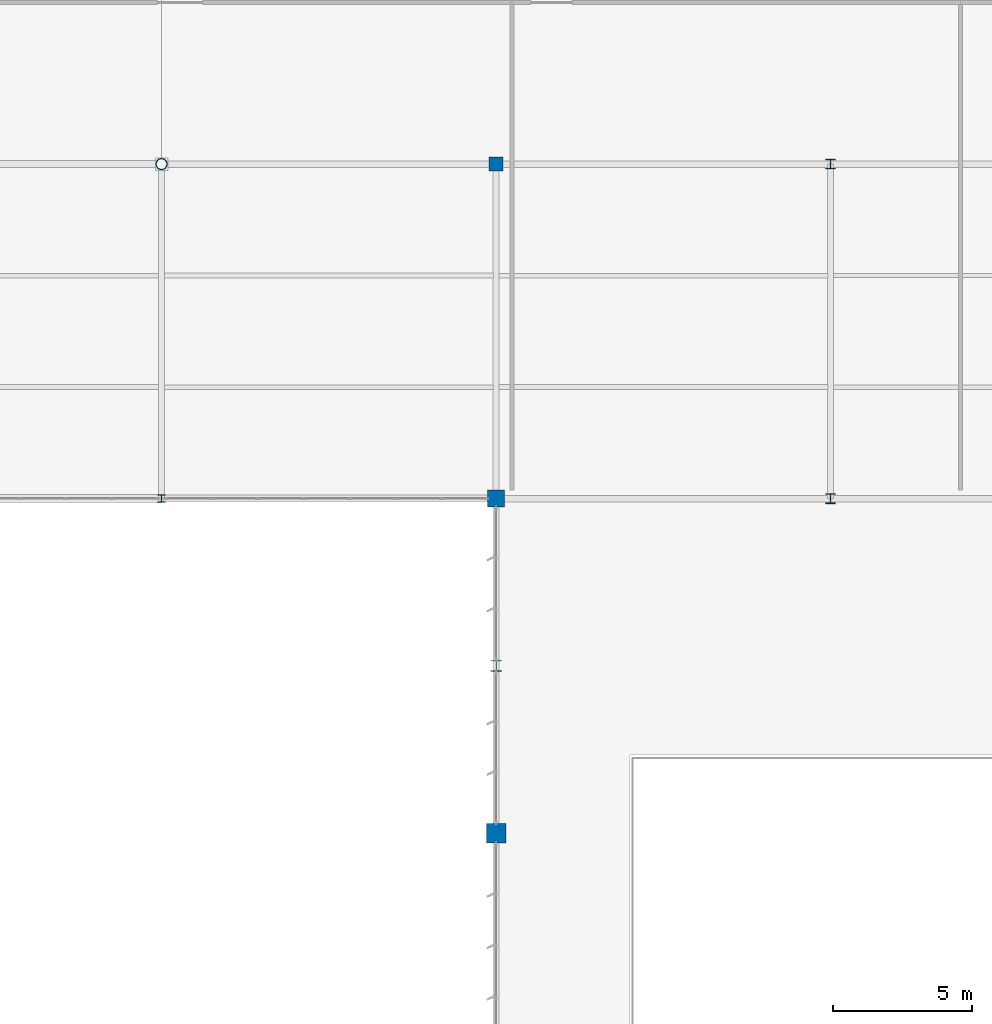
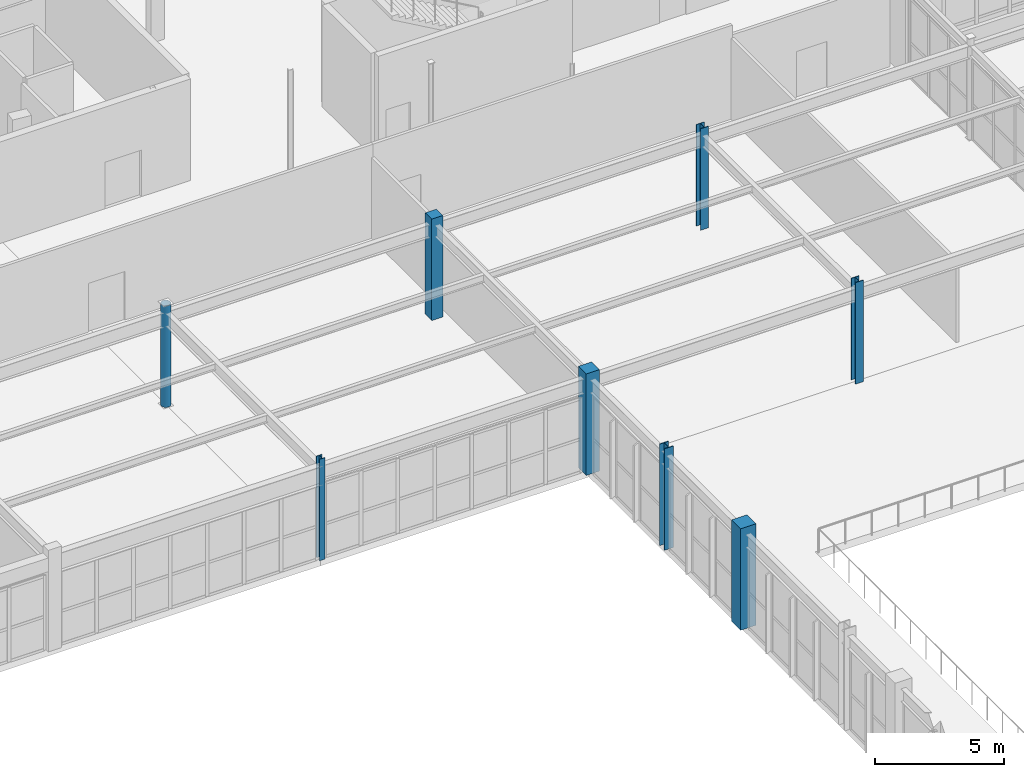
# One storey, part 29 of 226: 8 columns.
"""IFC4 building model written with IfcOpenShell, lengths in metres."""

from ifc_helpers import new_model, si_unit, direction, frame, origin, origin_2d, place, context, subcontext, project, spatial, rectangle, hollow_circle, i_section, extrude, material, material_profile, profile_set, type_object, element, save


model = new_model("IFC4")

# Units and contexts
model_context = context("Model", 3, precision=1e-05, world=origin(), true_north=direction((0.0, 1.0)))
body_context = subcontext(model_context, "Body", "Model", "MODEL_VIEW")
ifc_project = project(units=[si_unit("LENGTHUNIT", "METRE"), si_unit("AREAUNIT", "SQUARE_METRE"), si_unit("VOLUMEUNIT", "CUBIC_METRE"), si_unit("PLANEANGLEUNIT", "RADIAN"), si_unit("MASSUNIT", "GRAM", prefix="KILO")], contexts=[model_context])

# Site, building, storey
site_placement = place(None, origin())
site = spatial("IfcSite", under=ifc_project, at=site_placement, CompositionType="ELEMENT")
building_placement = place(site_placement, origin())
building = spatial("IfcBuilding", under=site, at=building_placement, Name="Tarnwether General Hospital", CompositionType="ELEMENT")
storey_placement = place(building_placement, frame((0.0, 0.0, 4.800048828125)))
storey = spatial("IfcBuildingStorey", under=building, at=storey_placement, Name="L01", CompositionType="ELEMENT", Elevation=4.800048828125)

# Columns
ifc_material_1 = material(Name="Steel Grade 350 (350 MPa)", Category="steel")
ifc_material_profile_1 = material_profile(ifc_material_1, i_section(OverallWidth=0.39990234375, OverallDepth=0.39990234375, WebThickness=0.02001953125, FlangeThickness=0.028076171875, at=origin_2d()), Name="400WC270")
ifc_profile_set_1 = profile_set([ifc_material_profile_1], Name="Steel Grade 350 (350 MPa)")
column_type_1 = type_object("IfcColumnType", Name="COL-02", PredefinedType="COLUMN", material=ifc_profile_set_1)
column_1_placement = place(storey_placement, frame((108.0, 75.60009765625, 0.0), z_axis=(0.0, 0.0, 1.0), x_axis=(1.0, 0.0, 0.0)))
element("IfcColumn", 1, at=column_1_placement, inside=storey, type_object=column_type_1, Name="Column COLG-L01-10800_7560", PredefinedType="COLUMN", context=body_context, shape_type="SweptSolid", body=[
    extrude(i_section(OverallWidth=0.39990234375, OverallDepth=0.39990234375, WebThickness=0.02001953125, FlangeThickness=0.028076171875, at=origin_2d()), origin(), (0.0, 0.0, 1.0), 4.800048828125),
])
ifc_material_2 = material(Name="Steel Grade 350 (350 MPa)", Category="steel")
ifc_material_profile_2 = material_profile(ifc_material_2, i_section(OverallWidth=0.35009765625, OverallDepth=0.360107421875, WebThickness=0.01611328125, FlangeThickness=0.028076171875, at=origin_2d()), Name="350WC230")
ifc_profile_set_2 = profile_set([ifc_material_profile_2], Name="Steel Grade 350 (350 MPa)")
column_type_2 = type_object("IfcColumnType", Name="COL-03", PredefinedType="COLUMN", material=ifc_profile_set_2)
column_2_placement = place(storey_placement, frame((120.0, 81.60009765625, 0.0), z_axis=(0.0, 0.0, 1.0), x_axis=(1.0, 0.0, 0.0)))
element("IfcColumn", 2, at=column_2_placement, inside=storey, type_object=column_type_2, Name="Column COLG-L01-12000_8160", PredefinedType="COLUMN", context=body_context, shape_type="SweptSolid", body=[
    extrude(i_section(OverallWidth=0.35009765625, OverallDepth=0.360107421875, WebThickness=0.01611328125, FlangeThickness=0.028076171875, at=origin_2d()), origin(), (0.0, 0.0, 1.0), 4.800048828125),
])
ifc_material_3 = material(Name="Steel Grade 350 (350 MPa)", Category="steel")
ifc_material_profile_3 = material_profile(ifc_material_3, i_section(OverallWidth=0.35009765625, OverallDepth=0.35009765625, WebThickness=0.013916015625, FlangeThickness=0.02392578125, at=origin_2d()), Name="350WC197")
ifc_profile_set_3 = profile_set([ifc_material_profile_3], Name="Steel Grade 350 (350 MPa)")
column_type_3 = type_object("IfcColumnType", Name="COL-04", PredefinedType="COLUMN", material=ifc_profile_set_3)
column_3_placement = place(storey_placement, frame((120.0, 93.60009765625, 0.0), z_axis=(0.0, 0.0, 1.0), x_axis=(1.0, 0.0, 0.0)))
element("IfcColumn", 3, at=column_3_placement, inside=storey, type_object=column_type_3, Name="Column COLG-L01-12000_9360", PredefinedType="COLUMN", context=body_context, shape_type="SweptSolid", body=[
    extrude(i_section(OverallWidth=0.35009765625, OverallDepth=0.35009765625, WebThickness=0.013916015625, FlangeThickness=0.02392578125, at=origin_2d()), origin(), (0.0, 0.0, 1.0), 4.800048828125),
])
ifc_material_4 = material(Name="Steel Grade 350 (350 MPa)", Category="steel")
ifc_material_profile_4 = material_profile(ifc_material_4, i_section(OverallWidth=0.256103515625, OverallDepth=0.260009765625, WebThickness=0.010498046875, FlangeThickness=0.017333984375, at=origin_2d()), Name="250UC89.5")
ifc_profile_set_4 = profile_set([ifc_material_profile_4], Name="Steel Grade 350 (350 MPa)")
column_type_4 = type_object("IfcColumnType", Name="COL-09", PredefinedType="COLUMN", material=ifc_profile_set_4)
column_4_placement = place(storey_placement, frame((96.0, 81.60009765625, 0.0), z_axis=(0.0, 0.0, 1.0), x_axis=(1.0, 0.0, 0.0)))
element("IfcColumn", 4, at=column_4_placement, inside=storey, type_object=column_type_4, Name="Column COLG-L01-9600_8160", PredefinedType="COLUMN", context=body_context, shape_type="SweptSolid", body=[
    extrude(i_section(OverallWidth=0.256103515625, OverallDepth=0.260009765625, WebThickness=0.010498046875, FlangeThickness=0.017333984375, at=origin_2d()), origin(), (0.0, 0.0, 1.0), 4.800048828125),
])
ifc_material_5 = material(Name="Steel Grade C350L0 (350 MPa)", Category="steel")
ifc_material_profile_5 = material_profile(ifc_material_5, hollow_circle(Radius=0.203125, WallThickness=0.01611328125, at=origin_2d()), Name="CHS406.4x16.0")
ifc_profile_set_5 = profile_set([ifc_material_profile_5], Name="Steel Grade C350L0 (350 MPa)")
column_type_5 = type_object("IfcColumnType", Name="COL-10", PredefinedType="COLUMN", material=ifc_profile_set_5)
column_5_placement = place(storey_placement, frame((96.0, 93.60009765625, 0.0), z_axis=(0.0, 0.0, 1.0), x_axis=(1.0, 0.0, 0.0)))
element("IfcColumn", 5, at=column_5_placement, inside=storey, type_object=column_type_5, Name="Column COLG-L01-9600_9360", PredefinedType="COLUMN", context=body_context, shape_type="SweptSolid", body=[
    extrude(hollow_circle(Radius=0.203125, WallThickness=0.01611328125, at=origin_2d()), origin(), (0.0, 0.0, 1.0), 4.800048828125),
])
ifc_material_6 = material(Name="Concrete 50 MPa", Category="concrete")
ifc_material_profile_6 = material_profile(ifc_material_6, rectangle(XDim=0.699951171875, YDim=0.699951171875, at=origin_2d()), Name="RC-COL-700x700")
ifc_profile_set_6 = profile_set([ifc_material_profile_6], Name="Concrete 50 MPa")
column_type_6 = type_object("IfcColumnType", Name="COL-18", PredefinedType="COLUMN", material=ifc_profile_set_6)
column_6_placement = place(storey_placement, frame((108.0, 69.60009765625, 0.0), z_axis=(0.0, 0.0, 1.0), x_axis=(0.0, 1.0, 0.0)))
element("IfcColumn", 6, at=column_6_placement, inside=storey, type_object=column_type_6, Name="Column COLG-L01-10800_6960", PredefinedType="COLUMN", context=body_context, shape_type="SweptSolid", body=[
    extrude(rectangle(XDim=0.699951171875, YDim=0.699951171875, at=origin_2d()), origin(), (0.0, 0.0, 1.0), 4.800048828125),
])
ifc_material_7 = material(Name="Concrete 50 MPa", Category="concrete")
ifc_material_profile_7 = material_profile(ifc_material_7, rectangle(XDim=0.60009765625, YDim=0.60009765625, at=origin_2d()), Name="RC-COL-600x600")
ifc_profile_set_7 = profile_set([ifc_material_profile_7], Name="Concrete 50 MPa")
column_type_7 = type_object("IfcColumnType", Name="COL-19", PredefinedType="COLUMN", material=ifc_profile_set_7)
column_7_placement = place(storey_placement, frame((108.0, 81.60009765625, 0.0), z_axis=(0.0, 0.0, 1.0), x_axis=(0.0, 1.0, 0.0)))
element("IfcColumn", 7, at=column_7_placement, inside=storey, type_object=column_type_7, Name="Column COLG-L01-10800_8160", PredefinedType="COLUMN", context=body_context, shape_type="SweptSolid", body=[
    extrude(rectangle(XDim=0.60009765625, YDim=0.60009765625, at=origin_2d()), origin(), (0.0, 0.0, 1.0), 4.800048828125),
])
ifc_material_8 = material(Name="Concrete 50 MPa", Category="concrete")
ifc_material_profile_8 = material_profile(ifc_material_8, rectangle(XDim=0.5, YDim=0.5, at=origin_2d()), Name="RC-COL-500x500")
ifc_profile_set_8 = profile_set([ifc_material_profile_8], Name="Concrete 50 MPa")
column_type_8 = type_object("IfcColumnType", Name="COL-20", PredefinedType="COLUMN", material=ifc_profile_set_8)
column_8_placement = place(storey_placement, frame((108.0, 93.60009765625, 0.0), z_axis=(0.0, 0.0, 1.0), x_axis=(0.0, 1.0, 0.0)))
element("IfcColumn", 8, at=column_8_placement, inside=storey, type_object=column_type_8, Name="Column COLG-L01-10800_9360", PredefinedType="COLUMN", context=body_context, shape_type="SweptSolid", body=[
    extrude(rectangle(XDim=0.5, YDim=0.5, at=origin_2d()), origin(), (0.0, 0.0, 1.0), 4.800048828125),
])

save(model, "model.ifc")
